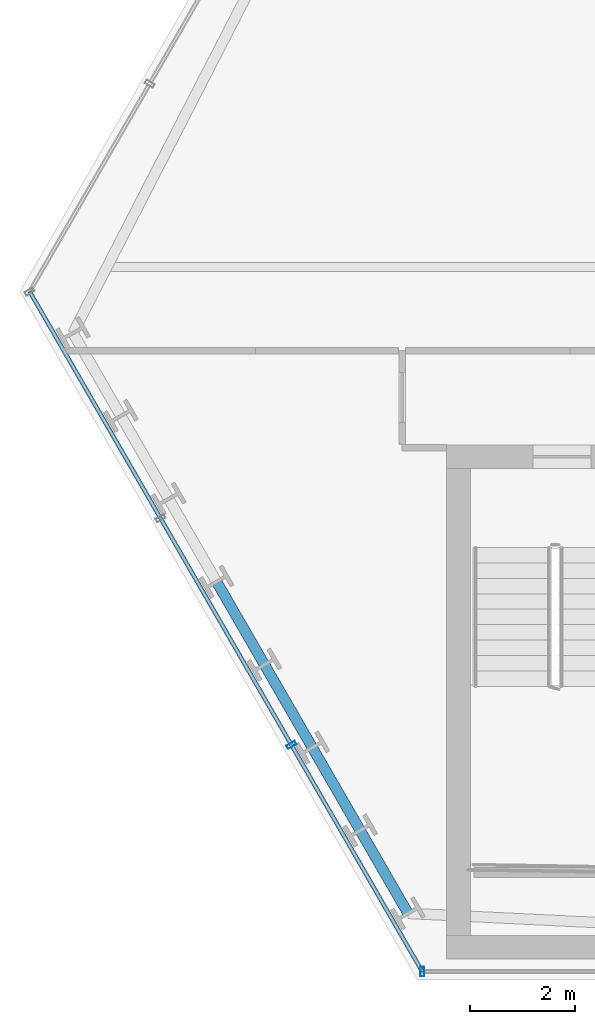
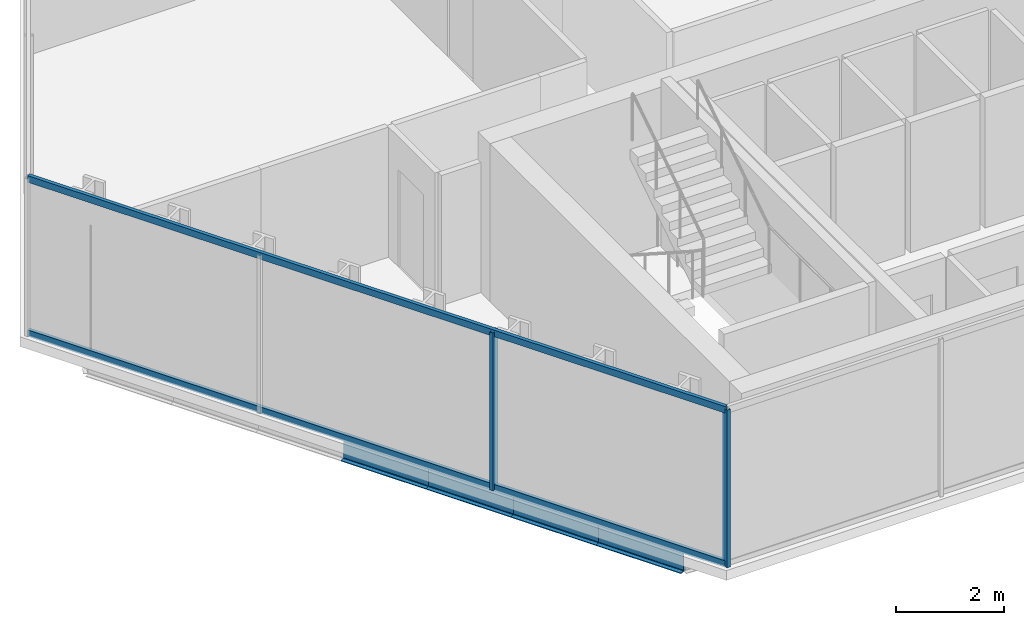
# One storey, part 2 of 32: 4 beams, 4 members, 2 elements without a shape of their own.
"""IFC4 building model written with IfcOpenShell, lengths in metres."""

from ifc_helpers import new_model, si_unit, direction, frame, origin, origin_2d, place, context, subcontext, project, spatial, hollow_rectangle, i_section, extrude, material, layer, layer_set, material_profile, profile_set, type_object, element, aggregate, save


model = new_model("IFC4")

# Units and contexts
model_context = context("Model", 3, precision=1e-05, world=origin(), true_north=direction((0.0, 1.0)))
body_context = subcontext(model_context, "Body", "Model", "MODEL_VIEW")
ifc_project = project(units=[si_unit("LENGTHUNIT", "METRE"), si_unit("AREAUNIT", "SQUARE_METRE"), si_unit("VOLUMEUNIT", "CUBIC_METRE"), si_unit("PLANEANGLEUNIT", "RADIAN"), si_unit("MASSUNIT", "GRAM", prefix="KILO")], contexts=[model_context])

# Site, building, storey
site_placement = place(None, origin())
site = spatial("IfcSite", under=ifc_project, at=site_placement, CompositionType="ELEMENT")
building_placement = place(site_placement, origin())
building = spatial("IfcBuilding", under=site, at=building_placement, Name="Ndaravel Arena Tower", CompositionType="ELEMENT")
storey_placement = place(building_placement, frame((0.0, 0.0, 74.0)))
storey = spatial("IfcBuildingStorey", under=building, at=storey_placement, Name="L16", CompositionType="ELEMENT", Elevation=74.0)

# Beams
ifc_material_1 = material(Name="Steel S355", Category="steel")
ifc_material_profile_1 = material_profile(ifc_material_1, i_section(OverallWidth=0.199951171875, OverallDepth=0.5, WebThickness=0.01025390625, FlangeThickness=0.01611328125, FilletRadius=0.02099609375, at=origin_2d()), Name="IPE 500")
ifc_profile_set_1 = profile_set([ifc_material_profile_1], Name="Steel S355")
beam_type = type_object("IfcBeamType", Name="BM-SPAN-IPE500", PredefinedType="SPANDREL", material=ifc_profile_set_1)
beam_1_placement = place(storey_placement, frame((22.0625, 12.593994140625, -0.469970703125), z_axis=(0.500065901226, -0.86598735235, 0.0), x_axis=(0.86598735235, 0.500065901226, 0.0)))
element("IfcBeam", 1, at=beam_1_placement, inside=storey, type_object=beam_type, Name="L16 Perimeter Spandrel Beam SP-23", PredefinedType="SPANDREL", context=body_context, shape_type="SweptSolid", body=[
    extrude(i_section(OverallWidth=0.199951171875, OverallDepth=0.5, WebThickness=0.01025390625, FlangeThickness=0.01611328125, FilletRadius=0.02099609375, at=origin_2d()), origin(), (0.0, 0.0, 1.0), 1.825439453125),
])
beam_2_placement = place(storey_placement, frame((22.975341796875, 11.01318359375, -0.469970703125), z_axis=(0.500007989214, -0.866020791161, 0.0), x_axis=(0.866020791161, 0.500007989214, 0.0)))
element("IfcBeam", 2, at=beam_2_placement, inside=storey, type_object=beam_type, Name="L16 Perimeter Spandrel Beam SP-24", PredefinedType="SPANDREL", context=body_context, shape_type="SweptSolid", body=[
    extrude(i_section(OverallWidth=0.199951171875, OverallDepth=0.5, WebThickness=0.01025390625, FlangeThickness=0.01611328125, FilletRadius=0.02099609375, at=origin_2d()), origin(), (0.0, 0.0, 1.0), 1.82568359375),
])
for number, where, z_axis, x_axis, name in (
    (3, (23.88818359375, 9.43212890625, -0.469970703125), (0.499965592563, -0.866045268016, 0.0), (0.866045268016, 0.499965592563, 0.0), "L16 Perimeter Spandrel Beam SP-25"),
    (4, (24.80078125, 7.851318359375, -0.469970703125), (0.499965592563, -0.866045268016, 0.0), (0.866045268016, 0.499965592563, 0.0), "L16 Perimeter Spandrel Beam SP-26"),
):
    element("IfcBeam", number, at=place(storey_placement, frame(where, z_axis=z_axis, x_axis=x_axis)), inside=storey, type_object=beam_type, Name=name, PredefinedType="SPANDREL", context=body_context, shape_type="SweptSolid", body=[
        extrude(i_section(OverallWidth=0.199951171875, OverallDepth=0.5, WebThickness=0.01025390625, FlangeThickness=0.01611328125, FilletRadius=0.02099609375, at=origin_2d()), origin(), (0.0, 0.0, 1.0), 1.825439453125),
    ])

# Curtain wall, member
ifc_material_2 = material(Name="Aluminium", Category="aluminium")
ifc_layer_1 = layer(ifc_material_2, 0.179931640625)
ifc_layer_set_1 = layer_set([ifc_layer_1], Name="Aluminium")
curtain_wall_type_1 = type_object("IfcCurtainWallType", Name="CW-SYS-03", PredefinedType="NOTDEFINED", material=ifc_layer_set_1)
curtain_wall_1_placement = place(storey_placement, origin())
curtain_wall_1 = element("IfcCurtainWall", 5, at=curtain_wall_1_placement, inside=storey, type_object=curtain_wall_type_1, Name="L16 Faceted Crystal Curtain Wall CW-L16-E01", PredefinedType="NOTDEFINED")
ifc_material_3 = material(Name="Aluminium", Category="aluminium")
ifc_material_profile_2 = material_profile(ifc_material_3, hollow_rectangle(XDim=0.074951171875, YDim=0.179931640625, WallThickness=0.00390625, at=origin_2d()), Name="CW MULLION 75x180x4")
ifc_profile_set_2 = profile_set([ifc_material_profile_2], Name="Aluminium")
member_type_1 = type_object("IfcMemberType", Name="MEM-CW-MUL180", PredefinedType="MULLION", material=ifc_profile_set_2)
member_1_placement = place(storey_placement, frame((25.985107421875, 5.159912109375, 0.0), z_axis=(0.0, 0.0, 1.0), x_axis=(1.0, 0.0, 0.0)))
member_1 = element("IfcMember", 6, at=member_1_placement, type_object=member_type_1, Name="CW-L16-E01 Mullion 00", PredefinedType="MULLION", context=body_context, shape_type="SweptSolid", body=[
    extrude(hollow_rectangle(XDim=0.074951171875, YDim=0.179931640625, WallThickness=0.00390625, at=origin_2d()), origin(), (0.0, 0.0, 1.0), 3.580078125),
])
aggregate(curtain_wall_1, [member_1])

# Curtain wall, members
ifc_material_4 = material(Name="Aluminium", Category="aluminium")
ifc_layer_2 = layer(ifc_material_4, 0.179931640625)
ifc_layer_set_2 = layer_set([ifc_layer_2], Name="Aluminium")
curtain_wall_type_2 = type_object("IfcCurtainWallType", Name="CW-SYS-02", PredefinedType="NOTDEFINED", material=ifc_layer_set_2)
curtain_wall_2_placement = place(storey_placement, origin())
curtain_wall_2 = element("IfcCurtainWall", 7, at=curtain_wall_2_placement, inside=storey, type_object=curtain_wall_type_2, Name="L16 Faceted Crystal Curtain Wall CW-L16-E06", PredefinedType="NOTDEFINED")
member_2_placement = place(storey_placement, frame((23.48974609375, 9.482421875, 0.0), z_axis=(0.0, 0.0, 1.0), x_axis=(0.5, -0.866025403784, 0.0)))
member_2 = element("IfcMember", 8, at=member_2_placement, type_object=member_type_1, Name="CW-L16-E06 Mullion 02", PredefinedType="MULLION", context=body_context, shape_type="SweptSolid", body=[
    extrude(hollow_rectangle(XDim=0.074951171875, YDim=0.179931640625, WallThickness=0.00390625, at=origin_2d()), origin(), (0.0, 0.0, 1.0), 3.580078125),
])
ifc_material_5 = material(Name="Aluminium", Category="aluminium")
ifc_material_profile_3 = material_profile(ifc_material_5, hollow_rectangle(XDim=0.074951171875, YDim=0.14990234375, WallThickness=0.00390625, at=origin_2d()), Name="CW TRANSOM 75x150x4")
ifc_profile_set_3 = profile_set([ifc_material_profile_3], Name="Aluminium")
member_type_2 = type_object("IfcMemberType", Name="MEM-CW-TRN150", PredefinedType="USERDEFINED", material=ifc_profile_set_3)
member_3_placement = place(storey_placement, frame((18.49853515625, 18.127197265625, 0.0400390625), z_axis=(0.499995326169, -0.866028102205, 0.0), x_axis=(0.866028102205, 0.499995326169, 0.0)))
member_3 = element("IfcMember", 9, at=member_3_placement, type_object=member_type_2, Name="CW-L16-E06 Transom 01", ObjectType="TRANSOM", PredefinedType="USERDEFINED", context=body_context, shape_type="SweptSolid", body=[
    extrude(hollow_rectangle(XDim=0.074951171875, YDim=0.14990234375, WallThickness=0.00390625, at=origin_2d()), origin(), (0.0, 0.0, 1.0), 14.973388671875),
])
member_4_placement = place(storey_placement, frame((18.49853515625, 18.127197265625, 3.5400390625), z_axis=(0.499995326169, -0.866028102205, 0.0), x_axis=(0.866028102205, 0.499995326169, 0.0)))
member_4 = element("IfcMember", 10, at=member_4_placement, type_object=member_type_2, Name="CW-L16-E06 Transom 02", ObjectType="TRANSOM", PredefinedType="USERDEFINED", context=body_context, shape_type="SweptSolid", body=[
    extrude(hollow_rectangle(XDim=0.074951171875, YDim=0.14990234375, WallThickness=0.00390625, at=origin_2d()), origin(), (0.0, 0.0, 1.0), 14.973388671875),
])
aggregate(curtain_wall_2, [member_2, member_3, member_4])

save(model, "model.ifc")
